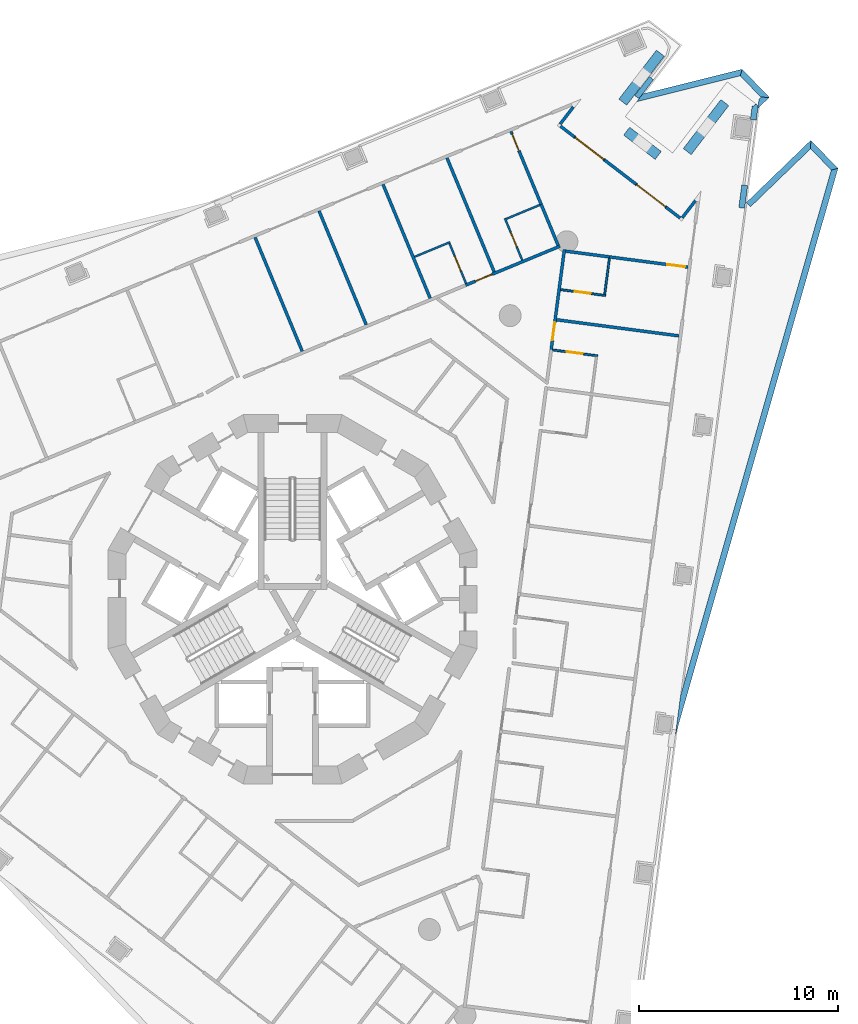
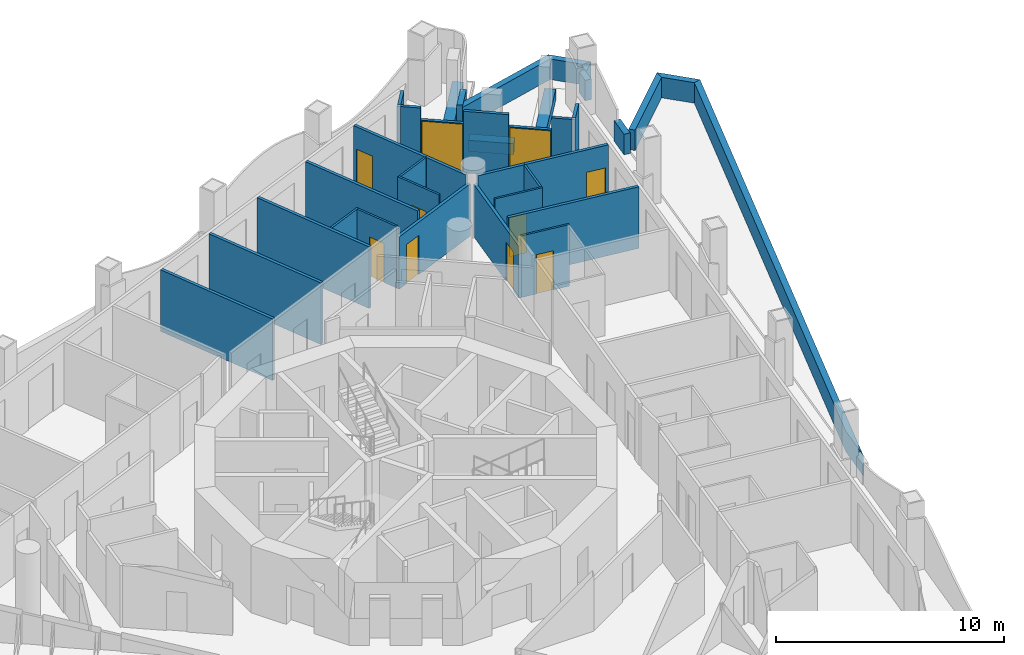
# One storey, part 10 of 19: 37 walls, 10 doors, 10 openings.
"""IFC4 building model written with IfcOpenShell, lengths in metres."""

from ifc_helpers import new_model, si_unit, direction, frame, frame_2d, origin, place, context, subcontext, project, spatial, polyline, rectangle, outline, extrude, material, layer, layer_set, type_object, element, fill, save


model = new_model("IFC4")

# Units and contexts
model_context = context("Model", 3, precision=1e-05, world=origin(), true_north=direction((0.0, 1.0)))
body_context = subcontext(model_context, "Body", "Model", "MODEL_VIEW")
ifc_project = project(units=[si_unit("LENGTHUNIT", "METRE"), si_unit("AREAUNIT", "SQUARE_METRE"), si_unit("VOLUMEUNIT", "CUBIC_METRE"), si_unit("PLANEANGLEUNIT", "RADIAN"), si_unit("MASSUNIT", "GRAM", prefix="KILO")], contexts=[model_context])

# Site, building, storey
site_placement = place(None, origin())
site = spatial("IfcSite", under=ifc_project, at=site_placement, CompositionType="ELEMENT")
building_placement = place(site_placement, origin())
building = spatial("IfcBuilding", under=site, at=building_placement, Name="Trine Commons Tower", CompositionType="ELEMENT")
storey_placement = place(building_placement, frame((0.0, 0.0, 124.199951171875)))
storey = spatial("IfcBuildingStorey", under=building, at=storey_placement, Name="L31", CompositionType="ELEMENT", Elevation=124.199951171875)

# Walls
ifc_material_1 = material(Name="Aluminium-framed insulated wall panel", Category="aluminium")
ifc_layer_1 = layer(ifc_material_1, 0.14990234375)
ifc_layer_set_1 = layer_set([ifc_layer_1], Name="Aluminium-framed insulated wall panel")
wall_type_1 = type_object("IfcWallType", Name="Glazed frame wall 150, EI 60", PredefinedType="SOLIDWALL", material=ifc_layer_set_1)
wall_1_placement = place(storey_placement, frame((94.193115234375, 87.345703125, 0.0), z_axis=(0.0, 0.0, 1.0), x_axis=(-0.608762998157, -0.793352136239, 0.0)))
element("IfcWall", 1, at=wall_1_placement, inside=storey, type_object=wall_type_1, Name="Glazed frame wall R5", PredefinedType="SOLIDWALL", context=body_context, shape_type="SweptSolid", body=[
    extrude(outline(polyline([(0.1494140625, 0.074951171875), (0.1494140625, -0.074951171875), (1.235107421875, -0.074951171875), (1.235107421875, 0.074951171875), (0.1494140625, 0.074951171875)])), origin(), (0.0, 0.0, 1.0), 3.300048828125),
])
wall_2_placement = place(storey_placement, frame((93.36767578125, 86.32763671875, 0.0), z_axis=(0.0, 0.0, 1.0), x_axis=(0.793331259853, -0.608790203715, 0.0)))
element("IfcWall", 2, at=wall_2_placement, inside=storey, type_object=wall_type_1, Name="Glazed frame wall P2.1", PredefinedType="SOLIDWALL", context=body_context, shape_type="SweptSolid", body=[
    extrude(outline(polyline([(0.110107421875, -0.074951171875), (1.0, -0.074951171875), (1.0, 0.074951171875), (0.110107421875, 0.074951171875), (0.110107421875, -0.074951171875)])), origin(), (0.0, 0.0, 1.0), 3.300048828125),
])

# Wall, opening, door
wall_3_placement = place(storey_placement, frame((94.1611328125, 85.71875, 0.0), z_axis=(0.0, 0.0, 1.0), x_axis=(0.793382932281, -0.608722862036, 0.0)))
wall_3 = element("IfcWall", 3, at=wall_3_placement, inside=storey, type_object=wall_type_1, Name="Glazed frame wall P2.2", PredefinedType="SOLIDWALL", context=body_context, shape_type="SweptSolid", body=[
    extrude(outline(polyline([(0.0, -0.074951171875), (1.89990234375, -0.074951171875), (1.89990234375, 0.074951171875), (0.0, 0.074951171875), (0.0, -0.074951171875)])), origin(), (0.0, 0.0, 1.0), 2.650146484375),
])
opening_1_placement = place(wall_3_placement, frame((0.050048828125, 0.0, 0.0)))
opening_1 = element("IfcOpeningElement", 4, at=opening_1_placement, cuts=wall_3, Name="Opening BD-4P2-01", PredefinedType="OPENING", context=body_context, shape_type="SweptSolid", body=[
    extrude(rectangle(XDim=1.800048828125, YDim=2.60009765625, at=frame_2d((0.89990234375, 1.300048828125))), frame((0.0, 0.0849609375, 0.0), z_axis=(0.0, -1.0, 0.0), x_axis=(1.0, 0.0, 0.0)), (0.0, 0.0, 1.0), 0.169921875),
])
ifc_material_2 = material(Name="Anodised aluminium frame with double glazing", Category="aluminium")
door_type_1 = type_object("IfcDoorType", Name="Sliding loggia door 1800x2600", OperationType="SLIDING_TO_LEFT", PredefinedType="DOOR", material=ifc_material_2)
door_1_placement = place(opening_1_placement, origin())
door_1 = element("IfcDoor", 5, at=door_1_placement, inside=storey, type_object=door_type_1, Name="Loggia door P2 1", OperationType="SLIDING_TO_LEFT", OverallHeight=2.60009765625, OverallWidth=1.800048828125, PredefinedType="DOOR", context=body_context, shape_type="SweptSolid", body=[
    extrude(rectangle(XDim=1.800048828125, YDim=2.60009765625, at=frame_2d((0.89990234375, 1.300048828125))), frame((0.0, 0.02490234375, 0.0), z_axis=(0.0, -1.0, 0.0), x_axis=(1.0, 0.0, 0.0)), (0.0, 0.0, 1.0), 0.050048828125),
])
fill(opening_1, door_1)

# Wall
wall_4_placement = place(storey_placement, frame((95.66845703125, 84.562255859375, 0.0), z_axis=(0.0, 0.0, 1.0), x_axis=(0.793344974033, -0.608772331974, 0.0)))
element("IfcWall", 6, at=wall_4_placement, inside=storey, type_object=wall_type_1, Name="Glazed frame wall P2.3", PredefinedType="SOLIDWALL", context=body_context, shape_type="SweptSolid", body=[
    extrude(outline(polyline([(0.0, -0.074951171875), (2.0, -0.074951171875), (2.0, 0.074951171875), (0.0, 0.074951171875), (0.0, -0.074951171875)])), origin(), (0.0, 0.0, 1.0), 3.300048828125),
])

# Wall, opening, door
wall_5_placement = place(storey_placement, frame((97.255126953125, 83.3447265625, 0.0), z_axis=(0.0, 0.0, 1.0), x_axis=(0.793320872023, -0.608803740143, 0.0)))
wall_5 = element("IfcWall", 7, at=wall_5_placement, inside=storey, type_object=wall_type_1, Name="Glazed frame wall P2.4", PredefinedType="SOLIDWALL", context=body_context, shape_type="SweptSolid", body=[
    extrude(outline(polyline([(0.0, -0.074951171875), (1.89990234375, -0.074951171875), (1.89990234375, 0.074951171875), (0.0, 0.074951171875), (0.0, -0.074951171875)])), origin(), (0.0, 0.0, 1.0), 2.650146484375),
])
opening_2_placement = place(wall_5_placement, frame((0.050048828125, 0.0, 0.0)))
opening_2 = element("IfcOpeningElement", 8, at=opening_2_placement, cuts=wall_5, Name="Opening BD-4P2-02", PredefinedType="OPENING", context=body_context, shape_type="SweptSolid", body=[
    extrude(rectangle(XDim=1.800048828125, YDim=2.60009765625, at=frame_2d((0.89990234375, 1.300048828125))), frame((0.0, 0.0849609375, 0.0), z_axis=(0.0, -1.0, 0.0), x_axis=(1.0, 0.0, 0.0)), (0.0, 0.0, 1.0), 0.169921875),
])
door_2_placement = place(opening_2_placement, origin())
door_2 = element("IfcDoor", 9, at=door_2_placement, inside=storey, type_object=door_type_1, Name="Loggia door P2 2", OperationType="SLIDING_TO_LEFT", OverallHeight=2.60009765625, OverallWidth=1.800048828125, PredefinedType="DOOR", context=body_context, shape_type="SweptSolid", body=[
    extrude(rectangle(XDim=1.800048828125, YDim=2.60009765625, at=frame_2d((0.89990234375, 1.300048828125))), frame((0.0, 0.02490234375, 0.0), z_axis=(0.0, -1.0, 0.0), x_axis=(1.0, 0.0, 0.0)), (0.0, 0.0, 1.0), 0.050048828125),
])
fill(opening_2, door_2)

# Walls
wall_6_placement = place(storey_placement, frame((98.762451171875, 82.18798828125, 0.0), z_axis=(0.0, 0.0, 1.0), x_axis=(0.793449156962, -0.60863653794, 0.0)))
element("IfcWall", 10, at=wall_6_placement, inside=storey, type_object=wall_type_1, Name="Glazed frame wall P2.5", PredefinedType="SOLIDWALL", context=body_context, shape_type="SweptSolid", body=[
    extrude(outline(polyline([(0.889892578125, 0.074951171875), (0.0, 0.074951171875), (0.0, -0.074951171875), (0.889892578125, -0.074951171875), (0.889892578125, 0.074951171875)])), origin(), (0.0, 0.0, 1.0), 3.300048828125),
])
wall_7_placement = place(storey_placement, frame((99.5068359375, 81.57275390625, 0.0), z_axis=(0.0, 0.0, 1.0), x_axis=(0.608762998157, 0.793352136239, 0.0)))
element("IfcWall", 11, at=wall_7_placement, inside=storey, type_object=wall_type_1, Name="Glazed frame wall R7", PredefinedType="SOLIDWALL", context=body_context, shape_type="SweptSolid", body=[
    extrude(outline(polyline([(0.110107421875, 0.074951171875), (0.110107421875, -0.074951171875), (1.19580078125, -0.074951171875), (1.19580078125, 0.074951171875), (0.110107421875, 0.074951171875)])), origin(), (0.0, 0.0, 1.0), 3.300048828125),
])
ifc_material_3 = material(Name="Planter trough, precast concrete C40/50", Category="concrete")
ifc_layer_2 = layer(ifc_material_3, 0.5)
ifc_layer_set_2 = layer_set([ifc_layer_2], Name="Planter trough, precast concrete C40/50")
wall_type_2 = type_object("IfcWallType", Name="Planter trough 500x600", PredefinedType="PARAPET", material=ifc_layer_set_2)
wall_8_placement = place(storey_placement, frame((98.474609375, 89.927490234375, 0.0), z_axis=(0.0, 0.0, 1.0), x_axis=(-0.608796883945, -0.793326133503, 0.0)))
element("IfcWall", 12, at=wall_8_placement, inside=storey, type_object=wall_type_2, Name="Planter 4", PredefinedType="PARAPET", context=body_context, shape_type="SweptSolid", body=[
    extrude(rectangle(XDim=3.099853515625, YDim=0.5, at=frame_2d((1.5498046875, 0.0))), origin(), (0.0, 0.0, 1.0), 0.60009765625),
])
wall_9_placement = place(storey_placement, frame((96.779296875, 86.010009765625, 0.0), z_axis=(0.0, 0.0, 1.0), x_axis=(0.793390207748, -0.608713379391, 0.0)))
element("IfcWall", 13, at=wall_9_placement, inside=storey, type_object=wall_type_2, Name="Planter 5", PredefinedType="PARAPET", context=body_context, shape_type="SweptSolid", body=[
    extrude(rectangle(XDim=2.000244140625, YDim=0.5, at=frame_2d((1.0, 0.0))), origin(), (0.0, 0.0, 1.0), 0.60009765625),
])
wall_10_placement = place(storey_placement, frame((99.82421875, 84.984619140625, 0.0), z_axis=(0.0, 0.0, 1.0), x_axis=(0.608796883945, 0.793326133503, 0.0)))
element("IfcWall", 14, at=wall_10_placement, inside=storey, type_object=wall_type_2, Name="Planter 6", PredefinedType="PARAPET", context=body_context, shape_type="SweptSolid", body=[
    extrude(rectangle(XDim=3.099853515625, YDim=0.5, at=frame_2d((1.5498046875, 0.0))), origin(), (0.0, 0.0, 1.0), 0.60009765625),
])
ifc_material_4 = material(Name="Limestone, honed", Category="masonry")
ifc_layer_3 = layer(ifc_material_4, 0.300048828125)
ifc_layer_set_3 = layer_set([ifc_layer_3], Name="Limestone, honed")
wall_type_3 = type_object("IfcWallType", Name="Stone parapet 300", PredefinedType="PARAPET", material=ifc_layer_set_3)
wall_11_placement = place(storey_placement, origin())
element("IfcWall", 15, at=wall_11_placement, inside=storey, type_object=wall_type_3, Name="Sliver roof parapet L30 5.1", PredefinedType="PARAPET", context=body_context, shape_type="SweptSolid", body=[
    extrude(outline(polyline([(103.37109375, 87.154541015625), (103.9462890625, 87.7099609375), (103.522216796875, 87.71728515625), (103.434326171875, 87.632568359375), (103.37109375, 87.154541015625)])), origin(), (0.0, 0.0, 1.0), 1.10009765625),
])
wall_12_placement = place(storey_placement, origin())
element("IfcWall", 16, at=wall_12_placement, inside=storey, type_object=wall_type_3, Name="Sliver roof parapet L30 5.2", PredefinedType="PARAPET", context=body_context, shape_type="SweptSolid", body=[
    extrude(outline(polyline([(103.9462890625, 87.7099609375), (102.581787109375, 89.122802734375), (102.486328125, 88.789794921875), (103.522216796875, 87.71728515625), (103.9462890625, 87.7099609375)])), origin(), (0.0, 0.0, 1.0), 1.10009765625),
])
wall_13_placement = place(storey_placement, origin())
element("IfcWall", 17, at=wall_13_placement, inside=storey, type_object=wall_type_3, Name="Sliver roof parapet L30 5.3", PredefinedType="PARAPET", context=body_context, shape_type="SweptSolid", body=[
    extrude(outline(polyline([(102.581787109375, 89.122802734375), (97.580810546875, 87.8759765625), (97.28759765625, 87.49365234375), (102.486328125, 88.789794921875), (102.581787109375, 89.122802734375)])), origin(), (0.0, 0.0, 1.0), 1.10009765625),
])
wall_14_placement = place(storey_placement, origin())
element("IfcWall", 18, at=wall_14_placement, inside=storey, type_object=wall_type_3, Name="Sliver roof parapet extension L30 5.X1", PredefinedType="PARAPET", context=body_context, shape_type="SweptSolid", body=[
    extrude(outline(polyline([(103.26025390625, 87.389892578125), (103.172607421875, 87.275634765625), (103.081298828125, 87.265380859375), (103.08203125, 87.2568359375), (102.99560546875, 86.598876953125), (103.29296875, 86.559814453125), (103.38427734375, 87.253662109375), (103.37939453125, 87.298583984375), (103.317626953125, 87.345947265625), (103.26025390625, 87.389892578125)])), origin(), (0.0, 0.0, 1.0), 1.10009765625),
])
wall_15_placement = place(storey_placement, origin())
element("IfcWall", 19, at=wall_15_placement, inside=storey, type_object=wall_type_3, Name="Sliver roof parapet extension L30 5.X2", PredefinedType="PARAPET", context=body_context, shape_type="SweptSolid", body=[
    extrude(outline(polyline([(98.12890625, 88.58984375), (97.91455078125, 88.75439453125), (97.18408203125, 87.80224609375), (97.398193359375, 87.637939453125), (97.538330078125, 87.820556640625), (98.12890625, 88.58984375)])), origin(), (0.0, 0.0, 1.0), 1.10009765625),
])
wall_16_placement = place(storey_placement, origin())
element("IfcWall", 20, at=wall_16_placement, inside=storey, type_object=wall_type_3, Name="Sliver roof parapet L30 6.1", PredefinedType="PARAPET", context=body_context, shape_type="SweptSolid", body=[
    extrude(outline(polyline([(99.221923828125, 55.63720703125), (107.394775390625, 84.13916015625), (107.05859375, 84.055419921875), (99.48681640625, 57.6494140625), (99.221923828125, 55.63720703125)])), origin(), (0.0, 0.0, 1.0), 1.10009765625),
])
wall_17_placement = place(storey_placement, origin())
element("IfcWall", 21, at=wall_17_placement, inside=storey, type_object=wall_type_3, Name="Sliver roof parapet L30 6.2", PredefinedType="PARAPET", context=body_context, shape_type="SweptSolid", body=[
    extrude(outline(polyline([(107.394775390625, 84.13916015625), (106.0302734375, 85.552001953125), (106.02294921875, 85.127685546875), (107.05859375, 84.055419921875), (107.394775390625, 84.13916015625)])), origin(), (0.0, 0.0, 1.0), 1.10009765625),
])
wall_18_placement = place(storey_placement, origin())
element("IfcWall", 22, at=wall_18_placement, inside=storey, type_object=wall_type_3, Name="Sliver roof parapet L30 6.3", PredefinedType="PARAPET", context=body_context, shape_type="SweptSolid", body=[
    extrude(outline(polyline([(106.0302734375, 85.552001953125), (102.793212890625, 82.426025390625), (103.001953125, 82.21044921875), (106.02294921875, 85.127685546875), (106.0302734375, 85.552001953125)])), origin(), (0.0, 0.0, 1.0), 1.10009765625),
])
wall_19_placement = place(storey_placement, origin())
element("IfcWall", 23, at=wall_19_placement, inside=storey, type_object=wall_type_3, Name="Sliver roof parapet extension L30 6.X2", PredefinedType="PARAPET", context=body_context, shape_type="SweptSolid", body=[
    extrude(outline(polyline([(102.412841796875, 82.173583984375), (102.710205078125, 82.13427734375), (102.8603515625, 83.2744140625), (102.56298828125, 83.313720703125), (102.412841796875, 82.173583984375)])), origin(), (0.0, 0.0, 1.0), 1.10009765625),
])
ifc_material_5 = material(Name="Gypsum plasterboard on steel stud", Category="steel")
ifc_layer_4 = layer(ifc_material_5, 0.14990234375)
ifc_layer_set_4 = layer_set([ifc_layer_4], Name="Gypsum plasterboard on steel stud")
wall_type_4 = type_object("IfcWallType", Name="Unit and corridor wall 150 mm, EI 60", PredefinedType="PARTITIONING", material=ifc_layer_set_4)
wall_20_placement = place(storey_placement, frame((78.1171875, 80.676025390625, 0.0), z_axis=(0.0, 0.0, 1.0), x_axis=(0.382644207456, -0.923895779025, 0.0)))
element("IfcWall", 24, at=wall_20_placement, inside=storey, type_object=wall_type_4, Name="Partition 060", PredefinedType="PARTITIONING", context=body_context, shape_type="SweptSolid", body=[
    extrude(rectangle(XDim=6.194091796875, YDim=0.14990234375, at=frame_2d((3.09716796875, 0.0))), origin(), (0.0, 0.0, 1.0), 3.300048828125),
])
wall_21_placement = place(storey_placement, frame((81.329345703125, 82.007080078125, 0.0), z_axis=(0.0, 0.0, 1.0), x_axis=(0.382731197273, -0.923859746192, 0.0)))
element("IfcWall", 25, at=wall_21_placement, inside=storey, type_object=wall_type_4, Name="Partition 064", PredefinedType="PARTITIONING", context=body_context, shape_type="SweptSolid", body=[
    extrude(rectangle(XDim=6.194580078125, YDim=0.14990234375, at=frame_2d((3.09716796875, 0.0))), origin(), (0.0, 0.0, 1.0), 3.300048828125),
])
wall_22_placement = place(storey_placement, frame((84.542236328125, 83.337890625, 0.0), z_axis=(0.0, 0.0, 1.0), x_axis=(0.382778772429, -0.9238400356, 0.0)))
element("IfcWall", 26, at=wall_22_placement, inside=storey, type_object=wall_type_4, Name="Partition 077", PredefinedType="PARTITIONING", context=body_context, shape_type="SweptSolid", body=[
    extrude(rectangle(XDim=6.1943359375, YDim=0.14990234375, at=frame_2d((3.09716796875, 0.0))), origin(), (0.0, 0.0, 1.0), 3.300048828125),
])
wall_23_placement = place(storey_placement, frame((87.75537109375, 84.66796875, 0.0), z_axis=(0.0, 0.0, 1.0), x_axis=(0.382666303598, -0.923886627293, 0.0)))
element("IfcWall", 27, at=wall_23_placement, inside=storey, type_object=wall_type_4, Name="Partition 086", PredefinedType="PARTITIONING", context=body_context, shape_type="SweptSolid", body=[
    extrude(rectangle(XDim=6.193115234375, YDim=0.14990234375, at=frame_2d((3.0966796875, 0.0))), origin(), (0.0, 0.0, 1.0), 3.300048828125),
])

# Wall, opening, door
wall_24_placement = place(storey_placement, frame((88.69287109375, 78.27197265625, 0.0), z_axis=(0.0, 0.0, 1.0), x_axis=(0.92395946552, 0.382490399978, 0.0)))
wall_24 = element("IfcWall", 28, at=wall_24_placement, inside=storey, type_object=wall_type_4, Name="Partition 096", PredefinedType="PARTITIONING", context=body_context, shape_type="SweptSolid", body=[
    extrude(rectangle(XDim=5.1337890625, YDim=0.14990234375, at=frame_2d((2.56689453125, 0.0))), origin(), (0.0, 0.0, 1.0), 2.800048828125),
])
opening_3_placement = place(wall_24_placement, frame((0.531494140625, 0.0, 0.0)))
opening_3 = element("IfcOpeningElement", 29, at=opening_3_placement, cuts=wall_24, Name="Opening D-4A13", PredefinedType="OPENING", context=body_context, shape_type="SweptSolid", body=[
    extrude(rectangle(XDim=0.89990234375, YDim=2.10009765625, at=frame_2d((0.449951171875, 1.050048828125))), frame((0.0, 0.0849609375, 0.0), z_axis=(0.0, -1.0, 0.0), x_axis=(1.0, 0.0, 0.0)), (0.0, 0.0, 1.0), 0.169921875),
])
ifc_material_6 = material(Name="Timber fire door set", Category="wood")
door_type_2 = type_object("IfcDoorType", Name="Bedroom door 900 x 2100, FD30S", OperationType="NOTDEFINED", PredefinedType="DOOR", material=ifc_material_6)
door_3_placement = place(opening_3_placement, origin())
door_3 = element("IfcDoor", 30, at=door_3_placement, inside=storey, type_object=door_type_2, Name="Door D-4A13", OperationType="SINGLE_SWING_LEFT", OverallHeight=2.10009765625, OverallWidth=0.89990234375, PredefinedType="DOOR", context=body_context, shape_type="SweptSolid", body=[
    extrude(rectangle(XDim=0.89990234375, YDim=2.10009765625, at=frame_2d((0.449951171875, 1.050048828125))), frame((0.0, 0.02490234375, 0.0), z_axis=(0.0, -1.0, 0.0), x_axis=(1.0, 0.0, 0.0)), (0.0, 0.0, 1.0), 0.050048828125),
])
fill(opening_3, door_3)

wall_25_placement = place(storey_placement, frame((90.96826171875, 85.9990234375, 0.0), z_axis=(0.0, 0.0, 1.0), x_axis=(0.382692977479, -0.923875578738, 0.0)))
wall_25 = element("IfcWall", 31, at=wall_25_placement, inside=storey, type_object=wall_type_4, Name="Partition 114", PredefinedType="PARTITIONING", context=body_context, shape_type="SweptSolid", body=[
    extrude(rectangle(XDim=4.023681640625, YDim=0.14990234375, at=frame_2d((2.01171875, 0.0))), origin(), (0.0, 0.0, 1.0), 3.300048828125),
])
opening_4_placement = place(wall_25_placement, frame((0.14990234375, 0.0, 0.0)))
opening_4 = element("IfcOpeningElement", 32, at=opening_4_placement, cuts=wall_25, Name="Opening D-4A14", PredefinedType="OPENING", context=body_context, shape_type="SweptSolid", body=[
    extrude(rectangle(XDim=0.89990234375, YDim=2.10009765625, at=frame_2d((0.449951171875, 1.050048828125))), frame((0.0, 0.0849609375, 0.0), z_axis=(0.0, -1.0, 0.0), x_axis=(1.0, 0.0, 0.0)), (0.0, 0.0, 1.0), 0.169921875),
])
door_4_placement = place(opening_4_placement, frame((0.89990234375, 0.0, 0.0), z_axis=(0.0, 0.0, 1.0), x_axis=(-1.0, 0.0, 0.0)))
door_4 = element("IfcDoor", 33, at=door_4_placement, inside=storey, type_object=door_type_2, Name="Door D-4A14", OperationType="SINGLE_SWING_RIGHT", OverallHeight=2.10009765625, OverallWidth=0.89990234375, PredefinedType="DOOR", context=body_context, shape_type="SweptSolid", body=[
    extrude(rectangle(XDim=0.89990234375, YDim=2.10009765625, at=frame_2d((0.449951171875, 1.050048828125))), frame((0.0, 0.02490234375, 0.0), z_axis=(0.0, -1.0, 0.0), x_axis=(1.0, 0.0, 0.0)), (0.0, 0.0, 1.0), 0.050048828125),
])
fill(opening_4, door_4)

# Wall
wall_26_placement = place(storey_placement, frame((92.486083984375, 82.3359375, 0.0), z_axis=(0.0, 0.0, 1.0), x_axis=(0.382374366103, -0.924007491391, 0.0)))
element("IfcWall", 34, at=wall_26_placement, inside=storey, type_object=wall_type_4, Name="Partition 126", PredefinedType="PARTITIONING", context=body_context, shape_type="SweptSolid", body=[
    extrude(rectangle(XDim=2.22900390625, YDim=0.14990234375, at=frame_2d((1.114501953125, 0.0))), origin(), (0.0, 0.0, 1.0), 3.300048828125),
])

# Wall, opening, door
wall_27_placement = place(storey_placement, frame((92.9833984375, 74.978515625, 0.0), z_axis=(0.0, 0.0, 1.0), x_axis=(0.130587368937, 0.991436805386, 0.0)))
wall_27 = element("IfcWall", 35, at=wall_27_placement, inside=storey, type_object=wall_type_4, Name="Partition 130", PredefinedType="PARTITIONING", context=body_context, shape_type="SweptSolid", body=[
    extrude(rectangle(XDim=5.1337890625, YDim=0.14990234375, at=frame_2d((2.56689453125, 0.0))), origin(), (0.0, 0.0, 1.0), 2.800048828125),
])
opening_5_placement = place(wall_27_placement, frame((0.531982421875, 0.0, 0.0)))
opening_5 = element("IfcOpeningElement", 36, at=opening_5_placement, cuts=wall_27, Name="Opening D-4A16", PredefinedType="OPENING", context=body_context, shape_type="SweptSolid", body=[
    extrude(rectangle(XDim=0.89990234375, YDim=2.10009765625, at=frame_2d((0.449951171875, 1.050048828125))), frame((0.0, 0.0849609375, 0.0), z_axis=(0.0, -1.0, 0.0), x_axis=(1.0, 0.0, 0.0)), (0.0, 0.0, 1.0), 0.169921875),
])
door_5_placement = place(opening_5_placement, frame((0.89990234375, 0.0, 0.0), z_axis=(0.0, 0.0, 1.0), x_axis=(-1.0, 0.0, 0.0)))
door_5 = element("IfcDoor", 37, at=door_5_placement, inside=storey, type_object=door_type_2, Name="Door D-4A16", OperationType="SINGLE_SWING_RIGHT", OverallHeight=2.10009765625, OverallWidth=0.89990234375, PredefinedType="DOOR", context=body_context, shape_type="SweptSolid", body=[
    extrude(rectangle(XDim=0.89990234375, YDim=2.10009765625, at=frame_2d((0.449951171875, 1.050048828125))), frame((0.0, 0.02490234375, 0.0), z_axis=(0.0, -1.0, 0.0), x_axis=(1.0, 0.0, 0.0)), (0.0, 0.0, 1.0), 0.050048828125),
])
fill(opening_5, door_5)

# Walls
wall_28_placement = place(storey_placement, frame((93.264404296875, 76.537109375, 0.0), z_axis=(0.0, 0.0, 1.0), x_axis=(0.991439668145, -0.130565632649, 0.0)))
element("IfcWall", 38, at=wall_28_placement, inside=storey, type_object=wall_type_4, Name="Partition 133", PredefinedType="PARTITIONING", context=body_context, shape_type="SweptSolid", body=[
    extrude(rectangle(XDim=6.19482421875, YDim=0.14990234375, at=frame_2d((3.097412109375, 0.0))), origin(), (0.0, 0.0, 1.0), 3.300048828125),
])
wall_29_placement = place(storey_placement, frame((93.718505859375, 79.984130859375, 0.0), z_axis=(0.0, 0.0, 1.0), x_axis=(0.991444602233, -0.130528160577, 0.0)))
element("IfcWall", 39, at=wall_29_placement, inside=storey, type_object=wall_type_4, Name="Partition 137", PredefinedType="PARTITIONING", context=body_context, shape_type="SweptSolid", body=[
    extrude(rectangle(XDim=2.2294921875, YDim=0.14990234375, at=frame_2d((1.11474609375, 0.0))), origin(), (0.0, 0.0, 1.0), 3.300048828125),
])

# Wall, opening, door
wall_30_placement = place(storey_placement, frame((95.871337890625, 79.700439453125, 0.0), z_axis=(0.0, 0.0, 1.0), x_axis=(0.991472672227, -0.130314773632, 0.0)))
wall_30 = element("IfcWall", 40, at=wall_30_placement, inside=storey, type_object=wall_type_4, Name="Partition 141", PredefinedType="PARTITIONING", context=body_context, shape_type="SweptSolid", body=[
    extrude(rectangle(XDim=4.022216796875, YDim=0.14990234375, at=frame_2d((2.01123046875, 0.0))), origin(), (0.0, 0.0, 1.0), 3.300048828125),
])
opening_6_placement = place(wall_30_placement, frame((2.972412109375, 0.0, 0.0)))
opening_6 = element("IfcOpeningElement", 41, at=opening_6_placement, cuts=wall_30, Name="Opening D-4A15", PredefinedType="OPENING", context=body_context, shape_type="SweptSolid", body=[
    extrude(rectangle(XDim=0.89990234375, YDim=2.10009765625, at=frame_2d((0.449951171875, 1.050048828125))), frame((0.0, 0.0849609375, 0.0), z_axis=(0.0, -1.0, 0.0), x_axis=(1.0, 0.0, 0.0)), (0.0, 0.0, 1.0), 0.169921875),
])
door_6_placement = place(opening_6_placement, frame((0.89990234375, 0.0, 0.0), z_axis=(0.0, 0.0, 1.0), x_axis=(-1.0, 0.0, 0.0)))
door_6 = element("IfcDoor", 42, at=door_6_placement, inside=storey, type_object=door_type_2, Name="Door D-4A15", OperationType="SINGLE_SWING_LEFT", OverallHeight=2.10009765625, OverallWidth=0.89990234375, PredefinedType="DOOR", context=body_context, shape_type="SweptSolid", body=[
    extrude(rectangle(XDim=0.89990234375, YDim=2.10009765625, at=frame_2d((0.449951171875, 1.050048828125))), frame((0.0, 0.02490234375, 0.0), z_axis=(0.0, -1.0, 0.0), x_axis=(1.0, 0.0, 0.0)), (0.0, 0.0, 1.0), 0.050048828125),
])
fill(opening_6, door_6)

# Wall
ifc_layer_5 = layer(ifc_material_5, 0.10009765625)
ifc_layer_set_5 = layer_set([ifc_layer_5], Name="Gypsum plasterboard on steel stud")
wall_type_5 = type_object("IfcWallType", Name="Unit partition 100 mm, no rating", PredefinedType="PARTITIONING", material=ifc_layer_set_5)
wall_31_placement = place(storey_placement, frame((86.13037109375, 79.69970703125, 0.0), z_axis=(0.0, 0.0, 1.0), x_axis=(0.923967386518, 0.38247126513, 0.0)))
element("IfcWall", 43, at=wall_31_placement, inside=storey, type_object=wall_type_5, Name="Partition 080", PredefinedType="PARTITIONING", context=body_context, shape_type="SweptSolid", body=[
    extrude(rectangle(XDim=1.92529296875, YDim=0.10009765625, at=frame_2d((0.962646484375, 0.0))), origin(), (0.0, 0.0, 1.0), 3.300048828125),
])

# Wall, opening, door
wall_32_placement = place(storey_placement, frame((87.882080078125, 80.370849609375, 0.0), z_axis=(0.0, 0.0, 1.0), x_axis=(0.382645891508, -0.92389508155, 0.0)))
wall_32 = element("IfcWall", 44, at=wall_32_placement, inside=storey, type_object=wall_type_5, Name="Partition 090", PredefinedType="PARTITIONING", context=body_context, shape_type="SweptSolid", body=[
    extrude(rectangle(XDim=2.175048828125, YDim=0.10009765625, at=frame_2d((1.08740234375, 0.0))), origin(), (0.0, 0.0, 1.0), 3.300048828125),
])
opening_7_placement = place(wall_32_placement, frame((0.6875, 0.0, 0.0)))
opening_7 = element("IfcOpeningElement", 45, at=opening_7_placement, cuts=wall_32, Name="Opening D-4A42", PredefinedType="OPENING", context=body_context, shape_type="SweptSolid", body=[
    extrude(rectangle(XDim=0.800048828125, YDim=2.10009765625, at=frame_2d((0.39990234375, 1.050048828125))), frame((0.0, 0.06005859375, 0.0), z_axis=(0.0, -1.0, 0.0), x_axis=(1.0, 0.0, 0.0)), (0.0, 0.0, 1.0), 0.1201171875),
])
ifc_material_7 = material(Name="Painted timber", Category="wood")
door_type_3 = type_object("IfcDoorType", Name="Internal door 800 x 2100, NOT RATED", OperationType="NOTDEFINED", PredefinedType="DOOR", material=ifc_material_7)
door_7_placement = place(opening_7_placement, origin())
door_7 = element("IfcDoor", 46, at=door_7_placement, inside=storey, type_object=door_type_3, Name="Door D-4A42", OperationType="SINGLE_SWING_RIGHT", OverallHeight=2.10009765625, OverallWidth=0.800048828125, PredefinedType="DOOR", context=body_context, shape_type="SweptSolid", body=[
    extrude(rectangle(XDim=0.800048828125, YDim=2.10009765625, at=frame_2d((0.39990234375, 1.050048828125))), frame((0.0, 0.02490234375, 0.0), z_axis=(0.0, -1.0, 0.0), x_axis=(1.0, 0.0, 0.0)), (0.0, 0.0, 1.0), 0.050048828125),
])
fill(opening_7, door_7)

wall_33_placement = place(storey_placement, frame((90.666015625, 81.632080078125, 0.0), z_axis=(0.0, 0.0, 1.0), x_axis=(0.382595073996, -0.923916126796, 0.0)))
wall_33 = element("IfcWall", 47, at=wall_33_placement, inside=storey, type_object=wall_type_5, Name="Partition 112", PredefinedType="PARTITIONING", context=body_context, shape_type="SweptSolid", body=[
    extrude(rectangle(XDim=2.27490234375, YDim=0.10009765625, at=frame_2d((1.137451171875, 0.0))), origin(), (0.0, 0.0, 1.0), 3.300048828125),
])
opening_8_placement = place(wall_33_placement, frame((0.7626953125, 0.0, 0.0)))
opening_8 = element("IfcOpeningElement", 48, at=opening_8_placement, cuts=wall_33, Name="Opening D-4A43", PredefinedType="OPENING", context=body_context, shape_type="SweptSolid", body=[
    extrude(rectangle(XDim=0.800048828125, YDim=2.10009765625, at=frame_2d((0.39990234375, 1.050048828125))), frame((0.0, 0.06005859375, 0.0), z_axis=(0.0, -1.0, 0.0), x_axis=(1.0, 0.0, 0.0)), (0.0, 0.0, 1.0), 0.1201171875),
])
door_8_placement = place(opening_8_placement, frame((0.800048828125, 0.0, 0.0), z_axis=(0.0, 0.0, 1.0), x_axis=(-1.0, 0.0, 0.0)))
door_8 = element("IfcDoor", 49, at=door_8_placement, inside=storey, type_object=door_type_3, Name="Door D-4A43", OperationType="SINGLE_SWING_LEFT", OverallHeight=2.10009765625, OverallWidth=0.800048828125, PredefinedType="DOOR", context=body_context, shape_type="SweptSolid", body=[
    extrude(rectangle(XDim=0.800048828125, YDim=2.10009765625, at=frame_2d((0.39990234375, 1.050048828125))), frame((0.0, 0.02490234375, 0.0), z_axis=(0.0, -1.0, 0.0), x_axis=(1.0, 0.0, 0.0)), (0.0, 0.0, 1.0), 0.050048828125),
])
fill(opening_8, door_8)

# Wall
wall_34_placement = place(storey_placement, frame((90.731201171875, 81.60498046875, 0.0), z_axis=(0.0, 0.0, 1.0), x_axis=(0.923945120737, 0.382525049986, 0.0)))
element("IfcWall", 50, at=wall_34_placement, inside=storey, type_object=wall_type_5, Name="Partition 113", PredefinedType="PARTITIONING", context=body_context, shape_type="SweptSolid", body=[
    extrude(rectangle(XDim=1.825439453125, YDim=0.10009765625, at=frame_2d((0.91259765625, 0.0))), origin(), (0.0, 0.0, 1.0), 3.300048828125),
])

# Wall, opening, door
wall_35_placement = place(storey_placement, frame((93.0654296875, 75.022216796875, 0.0), z_axis=(0.0, 0.0, 1.0), x_axis=(0.991459774706, -0.130412864162, 0.0)))
wall_35 = element("IfcWall", 51, at=wall_35_placement, inside=storey, type_object=wall_type_5, Name="Partition 131", PredefinedType="PARTITIONING", context=body_context, shape_type="SweptSolid", body=[
    extrude(rectangle(XDim=2.274658203125, YDim=0.10009765625, at=frame_2d((1.13720703125, 0.0))), origin(), (0.0, 0.0, 1.0), 3.300048828125),
])
opening_9_placement = place(wall_35_placement, frame((0.71240234375, 0.0, 0.0)))
opening_9 = element("IfcOpeningElement", 52, at=opening_9_placement, cuts=wall_35, Name="Opening D-4A45", PredefinedType="OPENING", context=body_context, shape_type="SweptSolid", body=[
    extrude(rectangle(XDim=0.800048828125, YDim=2.10009765625, at=frame_2d((0.39990234375, 1.050048828125))), frame((0.0, 0.06005859375, 0.0), z_axis=(0.0, -1.0, 0.0), x_axis=(1.0, 0.0, 0.0)), (0.0, 0.0, 1.0), 0.1201171875),
])
door_9_placement = place(opening_9_placement, origin())
door_9 = element("IfcDoor", 53, at=door_9_placement, inside=storey, type_object=door_type_3, Name="Door D-4A45", OperationType="SINGLE_SWING_LEFT", OverallHeight=2.10009765625, OverallWidth=0.800048828125, PredefinedType="DOOR", context=body_context, shape_type="SweptSolid", body=[
    extrude(rectangle(XDim=0.800048828125, YDim=2.10009765625, at=frame_2d((0.39990234375, 1.050048828125))), frame((0.0, 0.02490234375, 0.0), z_axis=(0.0, -1.0, 0.0), x_axis=(1.0, 0.0, 0.0)), (0.0, 0.0, 1.0), 0.050048828125),
])
fill(opening_9, door_9)

wall_36_placement = place(storey_placement, frame((93.46435546875, 78.05126953125, 0.0), z_axis=(0.0, 0.0, 1.0), x_axis=(0.991445890878, -0.130518372124, 0.0)))
wall_36 = element("IfcWall", 54, at=wall_36_placement, inside=storey, type_object=wall_type_5, Name="Partition 134", PredefinedType="PARTITIONING", context=body_context, shape_type="SweptSolid", body=[
    extrude(rectangle(XDim=2.274658203125, YDim=0.10009765625, at=frame_2d((1.13720703125, 0.0))), origin(), (0.0, 0.0, 1.0), 3.300048828125),
])
opening_10_placement = place(wall_36_placement, frame((0.71240234375, 0.0, 0.0)))
opening_10 = element("IfcOpeningElement", 55, at=opening_10_placement, cuts=wall_36, Name="Opening D-4A44", PredefinedType="OPENING", context=body_context, shape_type="SweptSolid", body=[
    extrude(rectangle(XDim=0.800048828125, YDim=2.10009765625, at=frame_2d((0.39990234375, 1.050048828125))), frame((0.0, 0.06005859375, 0.0), z_axis=(0.0, -1.0, 0.0), x_axis=(1.0, 0.0, 0.0)), (0.0, 0.0, 1.0), 0.1201171875),
])
door_10_placement = place(opening_10_placement, frame((0.800048828125, 0.0, 0.0), z_axis=(0.0, 0.0, 1.0), x_axis=(-1.0, 0.0, 0.0)))
door_10 = element("IfcDoor", 56, at=door_10_placement, inside=storey, type_object=door_type_3, Name="Door D-4A44", OperationType="SINGLE_SWING_RIGHT", OverallHeight=2.10009765625, OverallWidth=0.800048828125, PredefinedType="DOOR", context=body_context, shape_type="SweptSolid", body=[
    extrude(rectangle(XDim=0.800048828125, YDim=2.10009765625, at=frame_2d((0.39990234375, 1.050048828125))), frame((0.0, 0.02490234375, 0.0), z_axis=(0.0, -1.0, 0.0), x_axis=(1.0, 0.0, 0.0)), (0.0, 0.0, 1.0), 0.050048828125),
])
fill(opening_10, door_10)

# Wall
wall_37_placement = place(storey_placement, frame((95.676513671875, 77.810546875, 0.0), z_axis=(0.0, 0.0, 1.0), x_axis=(0.130849048899, 0.991402303004, 0.0)))
element("IfcWall", 57, at=wall_37_placement, inside=storey, type_object=wall_type_5, Name="Partition 140", PredefinedType="PARTITIONING", context=body_context, shape_type="SweptSolid", body=[
    extrude(rectangle(XDim=1.82470703125, YDim=0.10009765625, at=frame_2d((0.912353515625, 0.0))), origin(), (0.0, 0.0, 1.0), 3.300048828125),
])

save(model, "model.ifc")
